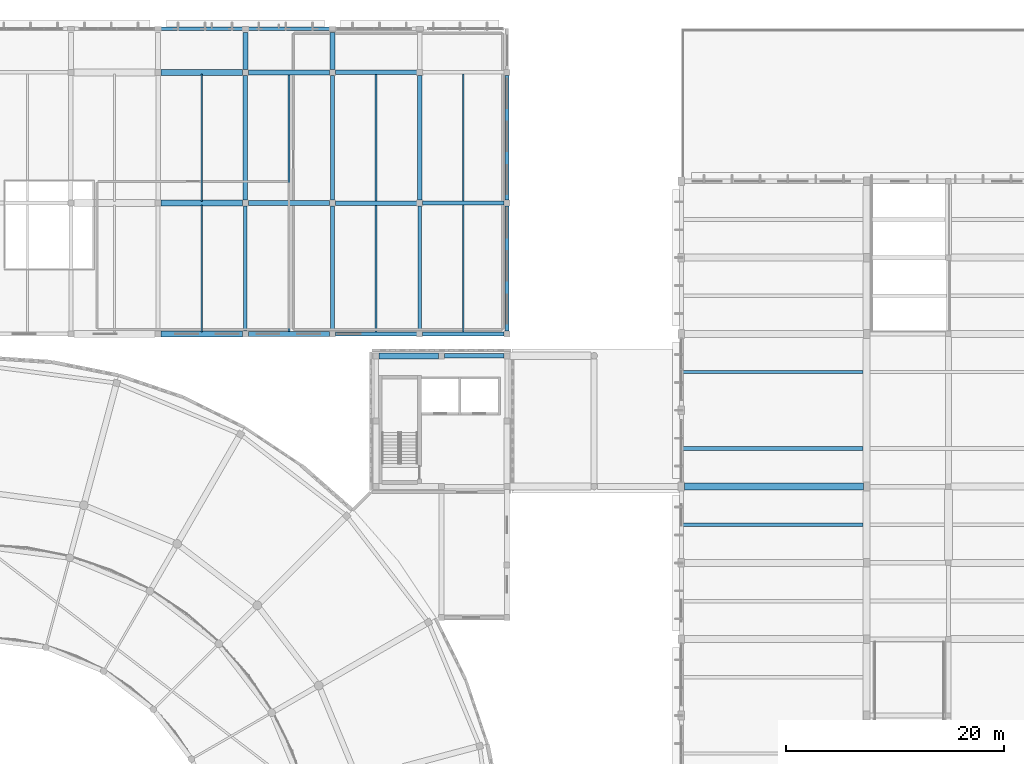
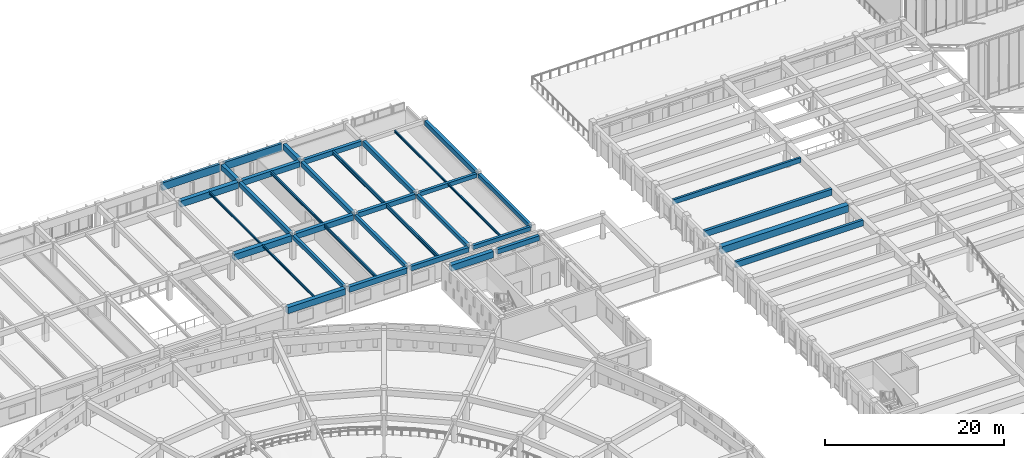
# One storey, part 24 of 155: 37 beams.
"""IFC4 building model written with IfcOpenShell, lengths in metres."""

from ifc_helpers import new_model, si_unit, direction, frame, origin, origin_2d, place, context, subcontext, project, spatial, rectangle, i_section, extrude, material, material_profile, profile_set, type_object, element, save


model = new_model("IFC4")

# Units and contexts
model_context = context("Model", 3, precision=1e-05, world=origin(), true_north=direction((0.0, 1.0)))
body_context = subcontext(model_context, "Body", "Model", "MODEL_VIEW")
ifc_project = project(units=[si_unit("LENGTHUNIT", "METRE"), si_unit("AREAUNIT", "SQUARE_METRE"), si_unit("VOLUMEUNIT", "CUBIC_METRE"), si_unit("PLANEANGLEUNIT", "RADIAN"), si_unit("MASSUNIT", "GRAM", prefix="KILO")], contexts=[model_context])

# Site, building, storey
site_placement = place(None, origin())
site = spatial("IfcSite", under=ifc_project, at=site_placement, CompositionType="ELEMENT")
building_placement = place(site_placement, origin())
building = spatial("IfcBuilding", under=site, at=building_placement, Name="Larkveld Mobility Hub", CompositionType="ELEMENT")
storey_placement = place(building_placement, frame((0.0, 0.0, 8.39990234375)))
storey = spatial("IfcBuildingStorey", under=building, at=storey_placement, Name="L02", CompositionType="ELEMENT", Elevation=8.39990234375)

# Beams
ifc_material_1 = material(Name="Precast concrete C50/60", Category="concrete")
ifc_material_profile_1 = material_profile(ifc_material_1, rectangle(XDim=0.280029296875, YDim=0.64990234375, at=origin_2d()), Name="PC DT 280x650")
ifc_profile_set_1 = profile_set([ifc_material_profile_1], Name="Precast concrete C50/60")
beam_type_1 = type_object("IfcBeamType", Name="BM-DT2865", PredefinedType="T_BEAM", material=ifc_profile_set_1)
beam_1_placement = place(storey_placement, frame((112.169921875, 94.5, 3.045166015625), z_axis=(1.0, 0.0, 0.0), x_axis=(0.0, 1.0, 0.0)))
element("IfcBeam", 1, at=beam_1_placement, inside=storey, type_object=beam_type_1, Name="Precast Double-Tee Stem L02-1100", PredefinedType="T_BEAM", context=body_context, shape_type="SweptSolid", body=[
    extrude(rectangle(XDim=0.280029296875, YDim=0.64990234375, at=origin_2d()), origin(), (0.0, 0.0, 1.0), 16.510009765625),
])
ifc_material_profile_2 = material_profile(ifc_material_1, rectangle(XDim=0.340087890625, YDim=0.800048828125, at=origin_2d()), Name="PC DT 340x800")
ifc_profile_set_2 = profile_set([ifc_material_profile_2], Name="Precast concrete C50/60")
beam_type_2 = type_object("IfcBeamType", Name="BM-DT3480", PredefinedType="T_BEAM", material=ifc_profile_set_2)
beam_2_placement = place(storey_placement, frame((112.169921875, 80.5, 2.97021484375), z_axis=(1.0, 0.0, 0.0), x_axis=(0.0, 1.0, 0.0)))
element("IfcBeam", 2, at=beam_2_placement, inside=storey, type_object=beam_type_2, Name="Precast Double-Tee Stem L02-1094", PredefinedType="T_BEAM", context=body_context, shape_type="SweptSolid", body=[
    extrude(rectangle(XDim=0.340087890625, YDim=0.800048828125, at=origin_2d()), origin(), (0.0, 0.0, 1.0), 16.510009765625),
])
ifc_material_profile_3 = material_profile(ifc_material_1, rectangle(XDim=0.360107421875, YDim=0.85009765625, at=origin_2d()), Name="PC DT 360x850")
ifc_profile_set_3 = profile_set([ifc_material_profile_3], Name="Precast concrete C50/60")
beam_type_3 = type_object("IfcBeamType", Name="BM-DT3685", PredefinedType="T_BEAM", material=ifc_profile_set_3)
beam_3_placement = place(storey_placement, frame((112.169921875, 87.5, 2.945068359375), z_axis=(1.0, 0.0, 0.0), x_axis=(0.0, 1.0, 0.0)))
element("IfcBeam", 3, at=beam_3_placement, inside=storey, type_object=beam_type_3, Name="Precast Double-Tee Stem L02-1097", PredefinedType="T_BEAM", context=body_context, shape_type="SweptSolid", body=[
    extrude(rectangle(XDim=0.360107421875, YDim=0.85009765625, at=origin_2d()), origin(), (0.0, 0.0, 1.0), 16.510009765625),
])
ifc_material_profile_4 = material_profile(ifc_material_1, rectangle(XDim=0.64990234375, YDim=0.949951171875, at=origin_2d()), Name="PC ITB 650x950")
ifc_profile_set_4 = profile_set([ifc_material_profile_4], Name="Precast concrete C50/60")
beam_type_4 = type_object("IfcBeamType", Name="BM-ITB6595", PredefinedType="T_BEAM", material=ifc_profile_set_4)
beam_4_placement = place(storey_placement, frame((112.300048828125, 84.0, 2.885009765625), z_axis=(1.0, 0.0, 0.0), x_axis=(0.0, 1.0, 0.0)))
element("IfcBeam", 4, at=beam_4_placement, inside=storey, type_object=beam_type_4, Name="Primary E-W Girder L02-0530", PredefinedType="T_BEAM", context=body_context, shape_type="SweptSolid", body=[
    extrude(rectangle(XDim=0.64990234375, YDim=0.949951171875, at=origin_2d()), origin(), (0.0, 0.0, 1.0), 16.39990234375),
])
ifc_material_2 = material(Name="Concrete C40/50", Category="concrete")
ifc_material_profile_5 = material_profile(ifc_material_2, rectangle(XDim=0.35009765625, YDim=0.550048828125, at=origin_2d()), Name="RC BM 350x550")
ifc_profile_set_5 = profile_set([ifc_material_profile_5], Name="Concrete C40/50")
beam_type_5 = type_object("IfcBeamType", Name="BM-RC3555", PredefinedType="BEAM", material=ifc_profile_set_5)
for number, where, z_axis, x_axis, name in (
    (5, (88.27490234375, 98.0, 3.085205078125), (1.0, 0.0, 0.0), (0.0, 1.0, 0.0), "Primary E-W Girder L02-0547"),
    (6, (88.27490234375, 110.0, 3.085205078125), (1.0, 0.0, 0.0), (0.0, 1.0, 0.0), "Primary E-W Girder L02-0565"),
):
    element("IfcBeam", number, at=place(storey_placement, frame(where, z_axis=z_axis, x_axis=x_axis)), inside=storey, type_object=beam_type_5, Name=name, PredefinedType="BEAM", context=body_context, shape_type="SweptSolid", body=[
        extrude(rectangle(XDim=0.35009765625, YDim=0.550048828125, at=origin_2d()), origin(), (0.0, 0.0, 1.0), 7.4501953125),
    ])
for number, where, z_axis, x_axis, name in (
    (7, (72.0, 98.27490234375, 3.085205078125), (0.0, 1.0, 0.0), (-1.0, 0.0, 0.0), "Primary N-S Girder L02-0607"),
    (8, (80.0, 98.27490234375, 3.085205078125), (0.0, 1.0, 0.0), (-1.0, 0.0, 0.0), "Primary N-S Girder L02-0610"),
    (9, (88.0, 98.27490234375, 3.085205078125), (0.0, 1.0, 0.0), (-1.0, 0.0, 0.0), "Primary N-S Girder L02-0615"),
    (10, (96.0, 98.27490234375, 3.085205078125), (0.0, 1.0, 0.0), (-1.0, 0.0, 0.0), "Primary N-S Girder L02-0620"),
):
    element("IfcBeam", number, at=place(storey_placement, frame(where, z_axis=z_axis, x_axis=x_axis)), inside=storey, type_object=beam_type_5, Name=name, PredefinedType="BEAM", context=body_context, shape_type="SweptSolid", body=[
        extrude(rectangle(XDim=0.35009765625, YDim=0.550048828125, at=origin_2d()), origin(), (0.0, 0.0, 1.0), 11.4501953125),
    ])
ifc_material_profile_6 = material_profile(ifc_material_2, rectangle(XDim=0.39990234375, YDim=0.64990234375, at=origin_2d()), Name="RC BM 400x650")
ifc_profile_set_6 = profile_set([ifc_material_profile_6], Name="Concrete C40/50")
beam_type_6 = type_object("IfcBeamType", Name="BM-RC4065", PredefinedType="BEAM", material=ifc_profile_set_6)
beam_5_placement = place(storey_placement, frame((90.27490234375, 96.0, 3.03515625), z_axis=(1.0, 0.0, 0.0), x_axis=(0.0, 1.0, 0.0)))
element("IfcBeam", 11, at=beam_5_placement, inside=storey, type_object=beam_type_6, Name="Primary E-W Girder L02-0536", PredefinedType="BEAM", context=body_context, shape_type="SweptSolid", body=[
    extrude(rectangle(XDim=0.39990234375, YDim=0.64990234375, at=origin_2d()), origin(), (0.0, 0.0, 1.0), 5.4501953125),
])
for number, where, z_axis, x_axis, name in (
    (12, (80.27490234375, 98.0, 3.03515625), (1.0, 0.0, 0.0), (0.0, 1.0, 0.0), "Primary E-W Girder L02-0546"),
    (13, (80.27490234375, 110.0, 3.03515625), (1.0, 0.0, 0.0), (0.0, 1.0, 0.0), "Primary E-W Girder L02-0564"),
    (14, (80.27490234375, 122.0, 3.03515625), (1.0, 0.0, 0.0), (0.0, 1.0, 0.0), "Primary E-W Girder L02-0578"),
):
    element("IfcBeam", number, at=place(storey_placement, frame(where, z_axis=z_axis, x_axis=x_axis)), inside=storey, type_object=beam_type_6, Name=name, PredefinedType="BEAM", context=body_context, shape_type="SweptSolid", body=[
        extrude(rectangle(XDim=0.39990234375, YDim=0.64990234375, at=origin_2d()), origin(), (0.0, 0.0, 1.0), 7.4501953125),
    ])
for number, where, z_axis, x_axis, name in (
    (15, (72.0, 110.27490234375, 3.03515625), (0.0, 1.0, 0.0), (-1.0, 0.0, 0.0), "Primary N-S Girder L02-0608"),
    (16, (80.0, 110.27490234375, 3.03515625), (0.0, 1.0, 0.0), (-1.0, 0.0, 0.0), "Primary N-S Girder L02-0611"),
    (17, (88.0, 110.27490234375, 3.03515625), (0.0, 1.0, 0.0), (-1.0, 0.0, 0.0), "Primary N-S Girder L02-0616"),
    (18, (96.0, 110.27490234375, 3.03515625), (0.0, 1.0, 0.0), (-1.0, 0.0, 0.0), "Primary N-S Girder L02-0621"),
):
    element("IfcBeam", number, at=place(storey_placement, frame(where, z_axis=z_axis, x_axis=x_axis)), inside=storey, type_object=beam_type_6, Name=name, PredefinedType="BEAM", context=body_context, shape_type="SweptSolid", body=[
        extrude(rectangle(XDim=0.39990234375, YDim=0.64990234375, at=origin_2d()), origin(), (0.0, 0.0, 1.0), 11.4501953125),
    ])
ifc_material_profile_7 = material_profile(ifc_material_2, rectangle(XDim=0.449951171875, YDim=0.75, at=origin_2d()), Name="RC BM 450x750")
ifc_profile_set_7 = profile_set([ifc_material_profile_7], Name="Concrete C40/50")
beam_type_7 = type_object("IfcBeamType", Name="BM-RC4575", PredefinedType="BEAM", material=ifc_profile_set_7)
for number, where, z_axis, x_axis, name in (
    (19, (72.27490234375, 98.0, 2.985107421875), (1.0, 0.0, 0.0), (0.0, 1.0, 0.0), "Primary E-W Girder L02-0545"),
    (20, (72.27490234375, 110.0, 2.985107421875), (1.0, 0.0, 0.0), (0.0, 1.0, 0.0), "Primary E-W Girder L02-0563"),
    (21, (72.27490234375, 122.0, 2.985107421875), (1.0, 0.0, 0.0), (0.0, 1.0, 0.0), "Primary E-W Girder L02-0577"),
):
    element("IfcBeam", number, at=place(storey_placement, frame(where, z_axis=z_axis, x_axis=x_axis)), inside=storey, type_object=beam_type_7, Name=name, PredefinedType="BEAM", context=body_context, shape_type="SweptSolid", body=[
        extrude(rectangle(XDim=0.449951171875, YDim=0.75, at=origin_2d()), origin(), (0.0, 0.0, 1.0), 7.4501953125),
    ])
for number, where, z_axis, x_axis, name in (
    (22, (72.0, 122.27490234375, 2.985107421875), (0.0, 1.0, 0.0), (-1.0, 0.0, 0.0), "Primary N-S Girder L02-0609"),
    (23, (80.0, 122.27490234375, 2.985107421875), (0.0, 1.0, 0.0), (-1.0, 0.0, 0.0), "Primary N-S Girder L02-0612"),
):
    element("IfcBeam", number, at=place(storey_placement, frame(where, z_axis=z_axis, x_axis=x_axis)), inside=storey, type_object=beam_type_7, Name=name, PredefinedType="BEAM", context=body_context, shape_type="SweptSolid", body=[
        extrude(rectangle(XDim=0.449951171875, YDim=0.75, at=origin_2d()), origin(), (0.0, 0.0, 1.0), 3.400146484375),
    ])
ifc_material_profile_8 = material_profile(ifc_material_2, rectangle(XDim=0.550048828125, YDim=0.85009765625, at=origin_2d()), Name="RC BM 550x850")
ifc_profile_set_8 = profile_set([ifc_material_profile_8], Name="Concrete C40/50")
beam_type_8 = type_object("IfcBeamType", Name="BM-RC5585", PredefinedType="BEAM", material=ifc_profile_set_8)
beam_6_placement = place(storey_placement, frame((84.27490234375, 96.0, 2.93505859375), z_axis=(1.0, 0.0, 0.0), x_axis=(0.0, 1.0, 0.0)))
element("IfcBeam", 24, at=beam_6_placement, inside=storey, type_object=beam_type_8, Name="Primary E-W Girder L02-0535", PredefinedType="BEAM", context=body_context, shape_type="SweptSolid", body=[
    extrude(rectangle(XDim=0.550048828125, YDim=0.85009765625, at=origin_2d()), origin(), (0.0, 0.0, 1.0), 5.4501953125),
])
for number, where, z_axis, x_axis, name in (
    (25, (64.27490234375, 98.0, 2.93505859375), (1.0, 0.0, 0.0), (0.0, 1.0, 0.0), "Primary E-W Girder L02-0544"),
    (26, (64.27490234375, 110.0, 2.93505859375), (1.0, 0.0, 0.0), (0.0, 1.0, 0.0), "Primary E-W Girder L02-0562"),
    (27, (64.27490234375, 122.0, 2.93505859375), (1.0, 0.0, 0.0), (0.0, 1.0, 0.0), "Primary E-W Girder L02-0576"),
):
    element("IfcBeam", number, at=place(storey_placement, frame(where, z_axis=z_axis, x_axis=x_axis)), inside=storey, type_object=beam_type_8, Name=name, PredefinedType="BEAM", context=body_context, shape_type="SweptSolid", body=[
        extrude(rectangle(XDim=0.550048828125, YDim=0.85009765625, at=origin_2d()), origin(), (0.0, 0.0, 1.0), 7.4501953125),
    ])
ifc_material_profile_9 = material_profile(ifc_material_1, rectangle(XDim=0.320068359375, YDim=1.050048828125, at=origin_2d()), Name="PC SP 320x1050")
ifc_profile_set_9 = profile_set([ifc_material_profile_9], Name="Precast concrete C50/60")
beam_type_9 = type_object("IfcBeamType", Name="BM-SP32105", PredefinedType="SPANDREL", material=ifc_profile_set_9)
for number, where, z_axis, x_axis, name in (
    (28, (64.22509765625, 126.0, 2.835205078125), (1.0, 0.0, 0.0), (0.0, 1.0, 0.0), "Primary E-W Girder L02-0585"),
    (29, (72.22509765625, 126.0, 2.835205078125), (1.0, 0.0, 0.0), (0.0, 1.0, 0.0), "Primary E-W Girder L02-0586"),
):
    element("IfcBeam", number, at=place(storey_placement, frame(where, z_axis=z_axis, x_axis=x_axis)), inside=storey, type_object=beam_type_9, Name=name, PredefinedType="SPANDREL", context=body_context, shape_type="SweptSolid", body=[
        extrude(rectangle(XDim=0.320068359375, YDim=1.050048828125, at=origin_2d()), origin(), (0.0, 0.0, 1.0), 7.5498046875),
    ])
ifc_material_3 = material(Name="Steel S355JR", Category="steel")
ifc_material_profile_10 = material_profile(ifc_material_3, i_section(OverallWidth=0.14990234375, OverallDepth=0.300048828125, WebThickness=0.007080078125, FlangeThickness=0.0107421875, FilletRadius=0.014892578125, at=origin_2d()), Name="IPE 300")
ifc_profile_set_10 = profile_set([ifc_material_profile_10], Name="Steel S355JR")
beam_type_10 = type_object("IfcBeamType", Name="BM-STIPE300", PredefinedType="BEAM", material=ifc_profile_set_10)
for number, where, z_axis, x_axis, name in (
    (30, (68.0, 98.169921875, 3.22021484375), (0.0, 1.0, 0.0), (-1.0, 0.0, 0.0), "Bicycle Hall Secondary Beam L02-1211"),
    (31, (68.0, 110.169921875, 3.22021484375), (0.0, 1.0, 0.0), (-1.0, 0.0, 0.0), "Bicycle Hall Secondary Beam L02-1212"),
    (32, (92.0, 98.169921875, 3.22021484375), (0.0, 1.0, 0.0), (-1.0, 0.0, 0.0), "Bicycle Hall Secondary Beam L02-1217"),
    (33, (92.0, 110.169921875, 3.22021484375), (0.0, 1.0, 0.0), (-1.0, 0.0, 0.0), "Bicycle Hall Secondary Beam L02-1218"),
):
    element("IfcBeam", number, at=place(storey_placement, frame(where, z_axis=z_axis, x_axis=x_axis)), inside=storey, type_object=beam_type_10, Name=name, PredefinedType="BEAM", context=body_context, shape_type="SweptSolid", body=[
        extrude(i_section(OverallWidth=0.14990234375, OverallDepth=0.300048828125, WebThickness=0.007080078125, FlangeThickness=0.0107421875, FilletRadius=0.014892578125, at=origin_2d()), origin(), (0.0, 0.0, 1.0), 11.66015625),
    ])
ifc_material_profile_11 = material_profile(ifc_material_3, i_section(OverallWidth=0.179931640625, OverallDepth=0.39990234375, WebThickness=0.008544921875, FlangeThickness=0.013427734375, FilletRadius=0.02099609375, at=origin_2d()), Name="IPE 400")
ifc_profile_set_11 = profile_set([ifc_material_profile_11], Name="Steel S355JR")
beam_type_11 = type_object("IfcBeamType", Name="BM-STIPE400", PredefinedType="BEAM", material=ifc_profile_set_11)
for number, where, z_axis, x_axis, name in (
    (34, (76.0, 98.169921875, 3.170166015625), (0.0, 1.0, 0.0), (-1.0, 0.0, 0.0), "Bicycle Hall Secondary Beam L02-1213"),
    (35, (76.0, 110.169921875, 3.170166015625), (0.0, 1.0, 0.0), (-1.0, 0.0, 0.0), "Bicycle Hall Secondary Beam L02-1214"),
):
    element("IfcBeam", number, at=place(storey_placement, frame(where, z_axis=z_axis, x_axis=x_axis)), inside=storey, type_object=beam_type_11, Name=name, PredefinedType="BEAM", context=body_context, shape_type="SweptSolid", body=[
        extrude(i_section(OverallWidth=0.179931640625, OverallDepth=0.39990234375, WebThickness=0.008544921875, FlangeThickness=0.013427734375, FilletRadius=0.02099609375, at=origin_2d()), origin(), (0.0, 0.0, 1.0), 11.66015625),
    ])
ifc_material_profile_12 = material_profile(ifc_material_3, i_section(OverallWidth=0.199951171875, OverallDepth=0.5, WebThickness=0.01025390625, FlangeThickness=0.01611328125, FilletRadius=0.02099609375, at=origin_2d()), Name="IPE 500")
ifc_profile_set_12 = profile_set([ifc_material_profile_12], Name="Steel S355JR")
beam_type_12 = type_object("IfcBeamType", Name="BM-STIPE500", PredefinedType="BEAM", material=ifc_profile_set_12)
for number, where, z_axis, x_axis, name in (
    (36, (84.0, 98.169921875, 3.1201171875), (0.0, 1.0, 0.0), (-1.0, 0.0, 0.0), "Bicycle Hall Secondary Beam L02-1215"),
    (37, (84.0, 110.169921875, 3.1201171875), (0.0, 1.0, 0.0), (-1.0, 0.0, 0.0), "Bicycle Hall Secondary Beam L02-1216"),
):
    element("IfcBeam", number, at=place(storey_placement, frame(where, z_axis=z_axis, x_axis=x_axis)), inside=storey, type_object=beam_type_12, Name=name, PredefinedType="BEAM", context=body_context, shape_type="SweptSolid", body=[
        extrude(i_section(OverallWidth=0.199951171875, OverallDepth=0.5, WebThickness=0.01025390625, FlangeThickness=0.01611328125, FilletRadius=0.02099609375, at=origin_2d()), origin(), (0.0, 0.0, 1.0), 11.66015625),
    ])

save(model, "model.ifc")
